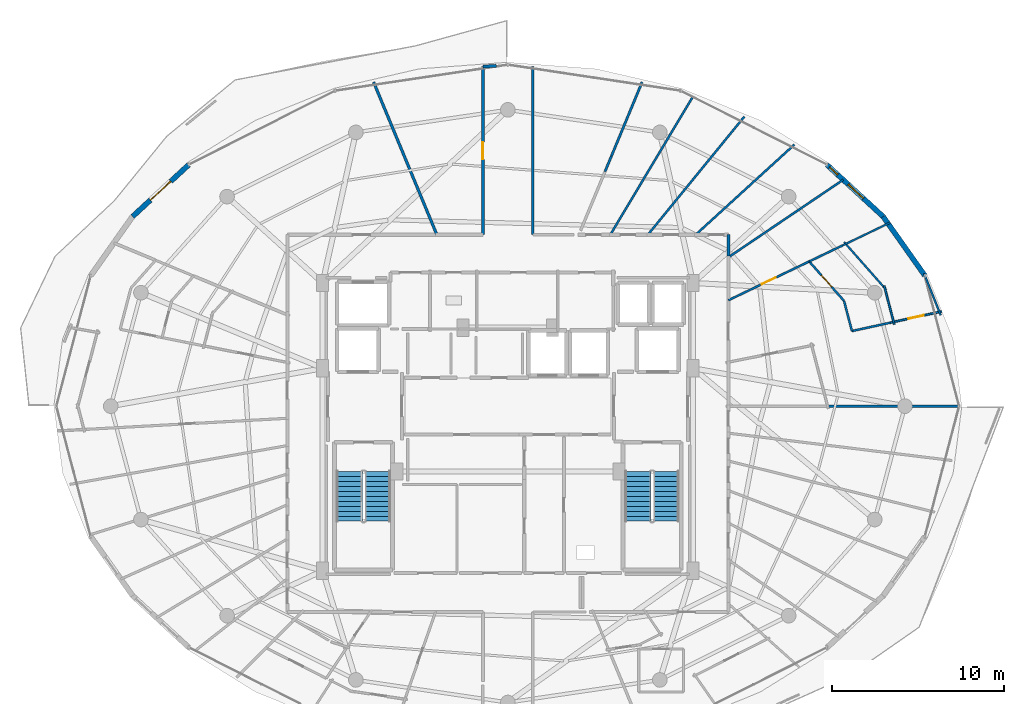
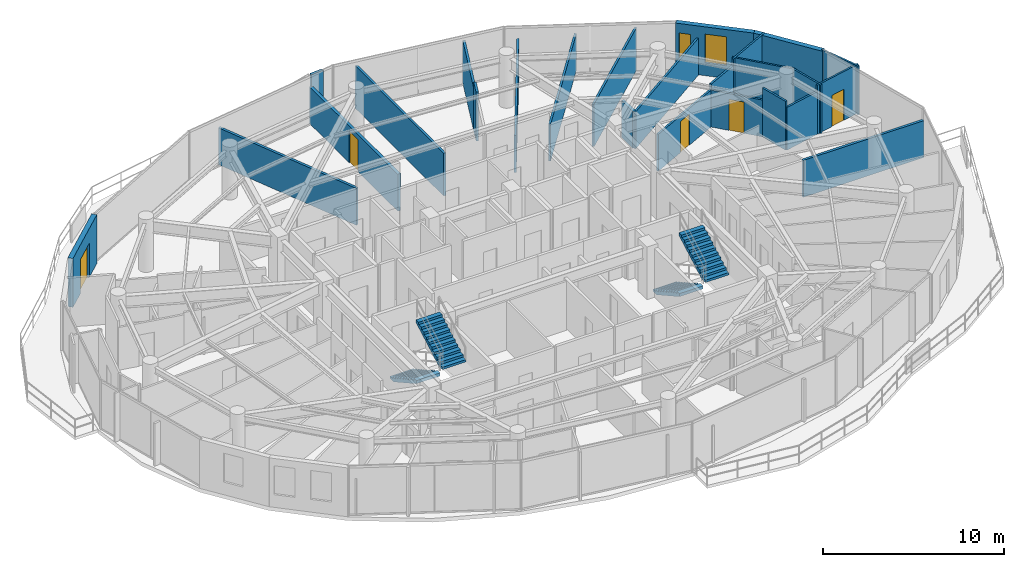
# One storey, part 26 of 30: 25 walls, 5 doors, 4 stair flights, 2 windows, 7 openings, 2 elements without a shape of their own.
"""IFC4 building model written with IfcOpenShell, lengths in metres."""

from ifc_helpers import new_model, si_unit, direction, frame, frame_2d, origin, place, context, subcontext, project, spatial, polyline, rectangle, outline, extrude, material, layer, layer_set, type_object, element, fill, aggregate, save


model = new_model("IFC4")

# Units and contexts
model_context = context("Model", 3, precision=1e-05, world=origin(), true_north=direction((0.0, 1.0)))
body_context = subcontext(model_context, "Body", "Model", "MODEL_VIEW")
ifc_project = project(units=[si_unit("LENGTHUNIT", "METRE"), si_unit("AREAUNIT", "SQUARE_METRE"), si_unit("VOLUMEUNIT", "CUBIC_METRE"), si_unit("PLANEANGLEUNIT", "RADIAN"), si_unit("MASSUNIT", "GRAM", prefix="KILO")], contexts=[model_context])

# Site, building, storey
site_placement = place(None, origin())
site = spatial("IfcSite", under=ifc_project, at=site_placement, CompositionType="ELEMENT")
building_placement = place(site_placement, origin())
building = spatial("IfcBuilding", under=site, at=building_placement, Name="Vorneva Point Tower", CompositionType="ELEMENT")
storey_placement = place(building_placement, frame((0.0, 0.0, 262.64990234375)))
storey = spatial("IfcBuildingStorey", under=building, at=storey_placement, Name="L71", CompositionType="ELEMENT", Elevation=262.64990234375)

# Wall
ifc_material_1 = material(Name="Precast concrete B50 (C40/50)", Category="concrete")
ifc_layer_1 = layer(ifc_material_1, 0.300048828125)
ifc_layer_set_1 = layer_set([ifc_layer_1], Name="Precast concrete B50 (C40/50)")
wall_type_1 = type_object("IfcWallType", Name="WL-EXT-300", PredefinedType="STANDARD", material=ifc_layer_set_1)
wall_1_placement = place(storey_placement, frame((62.20556640625, 33.5810546875, 0.0), z_axis=(0.0, 0.0, 1.0), x_axis=(-0.577261247247, 0.816559521668, 0.0)))
element("IfcWall", 1, at=wall_1_placement, inside=storey, type_object=wall_type_1, Name="L71 Pale-Metal Facade Spandrel Wall 02.1", PredefinedType="STANDARD", context=body_context, shape_type="SweptSolid", body=[
    extrude(rectangle(XDim=4.194091796875, YDim=0.300048828125, at=frame_2d((2.09716796875, 0.0))), origin(), (0.0, 0.0, 1.0), 3.2900390625),
])

# Wall, openings, windows
wall_2_placement = place(storey_placement, frame((59.784423828125, 37.005859375, 0.0), z_axis=(0.0, 0.0, 1.0), x_axis=(-0.735445373611, 0.677584018727, 0.0)))
wall_2 = element("IfcWall", 2, at=wall_2_placement, inside=storey, type_object=wall_type_1, Name="L71 Pale-Metal Facade Spandrel Wall 02.2", PredefinedType="STANDARD", context=body_context, shape_type="SweptSolid", body=[
    extrude(rectangle(XDim=4.430419921875, YDim=0.300048828125, at=frame_2d((2.21533203125, 0.0))), origin(), (0.0, 0.0, 1.0), 3.2900390625),
])
opening_1_placement = place(wall_2_placement, frame((1.55615234375, 0.0, 0.85009765625)))
opening_1 = element("IfcOpeningElement", 3, at=opening_1_placement, cuts=wall_2, Name="Opening W-04", PredefinedType="OPENING", context=body_context, shape_type="SweptSolid", body=[
    extrude(rectangle(XDim=1.199951171875, YDim=1.949951171875, at=frame_2d((0.60009765625, 0.97509765625))), frame((0.0, 0.1650390625, 0.0), z_axis=(0.0, -1.0, 0.0), x_axis=(1.0, 0.0, 0.0)), (0.0, 0.0, 1.0), 0.329833984375),
])
opening_2_placement = place(wall_2_placement, frame((3.5810546875, 0.0, 0.85009765625)))
opening_2 = element("IfcOpeningElement", 4, at=opening_2_placement, cuts=wall_2, Name="Opening W-09", PredefinedType="OPENING", context=body_context, shape_type="SweptSolid", body=[
    extrude(rectangle(XDim=0.64990234375, YDim=1.800048828125, at=frame_2d((0.324951171875, 0.89990234375))), frame((0.0, 0.1650390625, 0.0), z_axis=(0.0, -1.0, 0.0), x_axis=(1.0, 0.0, 0.0)), (0.0, 0.0, 1.0), 0.329833984375),
])
ifc_material_2 = material(Name="Double low-e laminated glass IGU", Category="glass")
window_type_1 = type_object("IfcWindowType", Name="WN-CAS-650", PartitioningType="SINGLE_PANEL", PredefinedType="WINDOW", material=ifc_material_2)
window_1_placement = place(opening_2_placement, origin())
window_1 = element("IfcWindow", 5, at=window_1_placement, inside=storey, type_object=window_type_1, Name="L71 Dwelling Vision Window 07", OverallHeight=1.800048828125, OverallWidth=0.64990234375, PartitioningType="SINGLE_PANEL", PredefinedType="WINDOW", context=body_context, shape_type="SweptSolid", body=[
    extrude(rectangle(XDim=0.64990234375, YDim=1.800048828125, at=frame_2d((0.324951171875, 0.89990234375))), frame((0.0, 0.030029296875, 0.0), z_axis=(0.0, -1.0, 0.0), x_axis=(1.0, 0.0, 0.0)), (0.0, 0.0, 1.0), 0.06005859375),
])
fill(opening_2, window_1)
window_type_2 = type_object("IfcWindowType", Name="WN-RES-1200", PartitioningType="SINGLE_PANEL", PredefinedType="WINDOW", material=ifc_material_2)
window_2_placement = place(opening_1_placement, origin())
window_2 = element("IfcWindow", 6, at=window_2_placement, inside=storey, type_object=window_type_2, Name="L71 Dwelling Vision Window 06", OverallHeight=1.949951171875, OverallWidth=1.199951171875, PartitioningType="SINGLE_PANEL", PredefinedType="WINDOW", context=body_context, shape_type="SweptSolid", body=[
    extrude(rectangle(XDim=1.199951171875, YDim=1.949951171875, at=frame_2d((0.60009765625, 0.97509765625))), frame((0.0, 0.030029296875, 0.0), z_axis=(0.0, -1.0, 0.0), x_axis=(1.0, 0.0, 0.0)), (0.0, 0.0, 1.0), 0.06005859375),
])
fill(opening_1, window_2)

# Wall, opening, door
wall_3_placement = place(storey_placement, frame((19.473876953125, 40.0078125, 0.0), z_axis=(0.0, 0.0, 1.0), x_axis=(-0.735445373611, -0.677584018727, 0.0)))
wall_3 = element("IfcWall", 7, at=wall_3_placement, inside=storey, type_object=wall_type_1, Name="L71 Pale-Metal Facade Spandrel Wall 07.1", PredefinedType="STANDARD", context=body_context, shape_type="SweptSolid", body=[
    extrude(rectangle(XDim=4.430419921875, YDim=0.300048828125, at=frame_2d((2.21533203125, 0.0))), origin(), (0.0, 0.0, 1.0), 3.2900390625),
])
opening_3_placement = place(wall_3_placement, frame((1.415283203125, 0.0, 0.0)))
opening_3 = element("IfcOpeningElement", 8, at=opening_3_placement, cuts=wall_3, Name="Opening BD-01", PredefinedType="OPENING", context=body_context, shape_type="SweptSolid", body=[
    extrude(rectangle(XDim=1.60009765625, YDim=2.300048828125, at=frame_2d((0.800048828125, 1.14990234375))), frame((0.0, 0.1650390625, 0.0), z_axis=(0.0, -1.0, 0.0), x_axis=(1.0, 0.0, 0.0)), (0.0, 0.0, 1.0), 0.329833984375),
])
ifc_material_3 = material(Name="Pale anodised aluminium", Category="aluminium")
door_type_1 = type_object("IfcDoorType", Name="DR-BAL-1600", OperationType="SLIDING_TO_LEFT", PredefinedType="DOOR", material=ifc_material_3)
door_1_placement = place(opening_3_placement, origin())
door_1 = element("IfcDoor", 9, at=door_1_placement, inside=storey, type_object=door_type_1, Name="L71 Balcony Terrace Access Door 07", OperationType="SLIDING_TO_LEFT", OverallHeight=2.300048828125, OverallWidth=1.60009765625, PredefinedType="DOOR", context=body_context, shape_type="SweptSolid", body=[
    extrude(rectangle(XDim=1.60009765625, YDim=2.300048828125, at=frame_2d((0.800048828125, 1.14990234375))), frame((0.0, 0.02490234375, 0.0), z_axis=(0.0, -1.0, 0.0), x_axis=(1.0, 0.0, 0.0)), (0.0, 0.0, 1.0), 0.050048828125),
])
fill(opening_3, door_1)

# Walls
ifc_material_4 = material(Name="Fire-rated acoustic gypsum stud partition", Category="gypsum")
ifc_layer_2 = layer(ifc_material_4, 0.110107421875)
ifc_layer_set_2 = layer_set([ifc_layer_2], Name="Fire-rated acoustic gypsum stud partition")
wall_type_2 = type_object("IfcWallType", Name="WL-PART-110", PredefinedType="PARTITIONING", material=ifc_layer_set_2)
wall_4_placement = place(storey_placement, frame((57.431884765625, 35.330322265625, 0.0), z_axis=(0.0, 0.0, 1.0), x_axis=(0.90133305384, 0.43312668592, 0.0)))
element("IfcWall", 10, at=wall_4_placement, inside=storey, type_object=wall_type_2, Name="L71 Interior Partition 126", PredefinedType="PARTITIONING", context=body_context, shape_type="SweptSolid", body=[
    extrude(rectangle(XDim=3.069091796875, YDim=0.110107421875, at=frame_2d((1.53466796875, 0.0))), origin(), (0.0, 0.0, 1.0), 3.2900390625),
])
wall_5_placement = place(storey_placement, frame((63.126220703125, 31.281982421875, 0.0), z_axis=(0.0, 0.0, 1.0), x_axis=(-0.371940924939, 0.92825640227, 0.0)))
element("IfcWall", 11, at=wall_5_placement, inside=storey, type_object=wall_type_2, Name="L71 Interior Partition 127", PredefinedType="PARTITIONING", context=body_context, shape_type="SweptSolid", body=[
    extrude(rectangle(XDim=2.6005859375, YDim=0.110107421875, at=frame_2d((1.30029296875, 0.0))), origin(), (0.0, 0.0, 1.0), 3.2900390625),
])

# Wall, opening, door
wall_6_placement = place(storey_placement, frame((63.187744140625, 31.497802734375, 0.0), z_axis=(0.0, 0.0, 1.0), x_axis=(-0.976993096252, -0.213270930688, 0.0)))
wall_6 = element("IfcWall", 12, at=wall_6_placement, inside=storey, type_object=wall_type_2, Name="L71 Interior Partition 128", PredefinedType="PARTITIONING", context=body_context, shape_type="SweptSolid", body=[
    extrude(rectangle(XDim=3.059814453125, YDim=0.110107421875, at=frame_2d((1.52978515625, 0.0))), origin(), (0.0, 0.0, 1.0), 3.2900390625),
])
opening_4_placement = place(wall_6_placement, frame((1.080078125, 0.0, 0.0)))
opening_4 = element("IfcOpeningElement", 13, at=opening_4_placement, cuts=wall_6, Name="Opening ID-01", PredefinedType="OPENING", context=body_context, shape_type="SweptSolid", body=[
    extrude(rectangle(XDim=0.89990234375, YDim=2.10009765625, at=frame_2d((0.449951171875, 1.050048828125))), frame((0.0, 0.06982421875, 0.0), z_axis=(0.0, -1.0, 0.0), x_axis=(1.0, 0.0, 0.0)), (0.0, 0.0, 1.0), 0.139892578125),
])
ifc_material_5 = material(Name="Engineered oak fire-rated door leaf", Category="wood")
door_type_2 = type_object("IfcDoorType", Name="DR-ROOM-900", OperationType="NOTDEFINED", PredefinedType="DOOR", material=ifc_material_5)
door_2_placement = place(opening_4_placement, origin())
door_2 = element("IfcDoor", 14, at=door_2_placement, inside=storey, type_object=door_type_2, Name="L71 Door Living and Dining Room L71-04 / Kitchen L71-04", OperationType="SINGLE_SWING_LEFT", OverallHeight=2.10009765625, OverallWidth=0.89990234375, PredefinedType="DOOR", context=body_context, shape_type="SweptSolid", body=[
    extrude(rectangle(XDim=0.89990234375, YDim=2.10009765625, at=frame_2d((0.449951171875, 1.050048828125))), frame((0.0, 0.02490234375, 0.0), z_axis=(0.0, -1.0, 0.0), x_axis=(1.0, 0.0, 0.0)), (0.0, 0.0, 1.0), 0.050048828125),
])
fill(opening_4, door_2)

# Walls
wall_7_placement = place(storey_placement, frame((57.519287109375, 35.52197265625, 0.0), z_axis=(0.0, 0.0, 1.0), x_axis=(0.662055665853, -0.749454665281, 0.0)))
element("IfcWall", 15, at=wall_7_placement, inside=storey, type_object=wall_type_2, Name="L71 Interior Partition 134", PredefinedType="PARTITIONING", context=body_context, shape_type="SweptSolid", body=[
    extrude(rectangle(XDim=3.701171875, YDim=0.110107421875, at=frame_2d((1.8505859375, 0.0))), origin(), (0.0, 0.0, 1.0), 3.2900390625),
])
wall_8_placement = place(storey_placement, frame((59.84130859375, 32.98828125, 0.0), z_axis=(0.0, 0.0, 1.0), x_axis=(0.254519291204, -0.967067696909, 0.0)))
element("IfcWall", 16, at=wall_8_placement, inside=storey, type_object=wall_type_2, Name="L71 Interior Partition 135", PredefinedType="PARTITIONING", context=body_context, shape_type="SweptSolid", body=[
    extrude(rectangle(XDim=2.311767578125, YDim=0.110107421875, at=frame_2d((1.15576171875, 0.0))), origin(), (0.0, 0.0, 1.0), 3.2900390625),
])
ifc_layer_3 = layer(ifc_material_4, 0.125)
ifc_layer_set_3 = layer_set([ifc_layer_3], Name="Fire-rated acoustic gypsum stud partition")
wall_type_3 = type_object("IfcWallType", Name="WL-PART-125", PredefinedType="PARTITIONING", material=ifc_layer_set_3)
wall_9_placement = place(storey_placement, frame((57.972900390625, 30.35888671875, 0.0), z_axis=(0.0, 0.0, 1.0), x_axis=(-0.254274526126, 0.967132082687, 0.0)))
element("IfcWall", 17, at=wall_9_placement, inside=storey, type_object=wall_type_3, Name="L71 Interior Partition 129", PredefinedType="PARTITIONING", context=body_context, shape_type="SweptSolid", body=[
    extrude(rectangle(XDim=1.812744140625, YDim=0.125, at=frame_2d((0.90625, 0.0))), origin(), (0.0, 0.0, 1.0), 3.2900390625),
])

# Wall, opening, door
wall_10_placement = place(storey_placement, frame((57.511962890625, 32.112060546875, 0.0), z_axis=(0.0, 0.0, 1.0), x_axis=(-0.662026430628, 0.749480490173, 0.0)))
wall_10 = element("IfcWall", 18, at=wall_10_placement, inside=storey, type_object=wall_type_3, Name="L71 Interior Partition 130", PredefinedType="PARTITIONING", context=body_context, shape_type="SweptSolid", body=[
    extrude(rectangle(XDim=3.05126953125, YDim=0.125, at=frame_2d((1.525634765625, 0.0))), origin(), (0.0, 0.0, 1.0), 2.482177734375),
])
opening_5_placement = place(wall_10_placement, frame((1.07568359375, 0.0, 0.0)))
opening_5 = element("IfcOpeningElement", 19, at=opening_5_placement, cuts=wall_10, Name="Opening ID-01", PredefinedType="OPENING", context=body_context, shape_type="SweptSolid", body=[
    extrude(rectangle(XDim=0.89990234375, YDim=2.10009765625, at=frame_2d((0.449951171875, 1.050048828125))), frame((0.0, 0.077392578125, 0.0), z_axis=(0.0, -1.0, 0.0), x_axis=(1.0, 0.0, 0.0)), (0.0, 0.0, 1.0), 0.15478515625),
])
door_3_placement = place(opening_5_placement, origin())
door_3 = element("IfcDoor", 20, at=door_3_placement, inside=storey, type_object=door_type_2, Name="L71 Door Living and Dining Room L71-04 / Study Room L71-04", OperationType="SINGLE_SWING_RIGHT", OverallHeight=2.10009765625, OverallWidth=0.89990234375, PredefinedType="DOOR", context=body_context, shape_type="SweptSolid", body=[
    extrude(rectangle(XDim=0.89990234375, YDim=2.10009765625, at=frame_2d((0.449951171875, 1.050048828125))), frame((0.0, 0.02490234375, 0.0), z_axis=(0.0, -1.0, 0.0), x_axis=(1.0, 0.0, 0.0)), (0.0, 0.0, 1.0), 0.050048828125),
])
fill(opening_5, door_3)

# Walls
wall_11_placement = place(storey_placement, frame((55.491943359375, 34.39892578125, 0.0), z_axis=(0.0, 0.0, 1.0), x_axis=(0.901372521065, 0.433044545363, 0.0)))
element("IfcWall", 21, at=wall_11_placement, inside=storey, type_object=wall_type_3, Name="L71 Interior Partition 131", PredefinedType="PARTITIONING", context=body_context, shape_type="SweptSolid", body=[
    extrude(rectangle(XDim=2.15185546875, YDim=0.125, at=frame_2d((1.075927734375, 0.0))), origin(), (0.0, 0.0, 1.0), 2.8740234375),
])
wall_12_placement = place(storey_placement, frame((60.1982421875, 30.844970703125, 0.0), z_axis=(0.0, 0.0, 1.0), x_axis=(-0.976965000645, -0.213399595862, 0.0)))
element("IfcWall", 22, at=wall_12_placement, inside=storey, type_object=wall_type_3, Name="L71 Interior Partition 132", PredefinedType="PARTITIONING", context=body_context, shape_type="SweptSolid", body=[
    extrude(rectangle(XDim=2.27783203125, YDim=0.125, at=frame_2d((1.138916015625, 0.0))), origin(), (0.0, 0.0, 1.0), 2.8740234375),
])

# Wall, opening, door
wall_13_placement = place(storey_placement, frame((55.49169921875, 34.3994140625, 0.0), z_axis=(0.0, 0.0, 1.0), x_axis=(-0.901416162018, -0.432953695968, 0.0)))
wall_13 = element("IfcWall", 23, at=wall_13_placement, inside=storey, type_object=wall_type_3, Name="L71 Interior Partition 133", PredefinedType="PARTITIONING", context=body_context, shape_type="SweptSolid", body=[
    extrude(rectangle(XDim=5.204833984375, YDim=0.125, at=frame_2d((2.6025390625, 0.0))), origin(), (0.0, 0.0, 1.0), 2.482177734375),
])
opening_6_placement = place(wall_13_placement, frame((2.15234375, 0.0, 0.0)))
opening_6 = element("IfcOpeningElement", 24, at=opening_6_placement, cuts=wall_13, Name="Opening ID-01", PredefinedType="OPENING", context=body_context, shape_type="SweptSolid", body=[
    extrude(rectangle(XDim=0.89990234375, YDim=2.10009765625, at=frame_2d((0.449951171875, 1.050048828125))), frame((0.0, 0.077392578125, 0.0), z_axis=(0.0, -1.0, 0.0), x_axis=(1.0, 0.0, 0.0)), (0.0, 0.0, 1.0), 0.15478515625),
])
door_4_placement = place(opening_6_placement, origin())
door_4 = element("IfcDoor", 25, at=door_4_placement, inside=storey, type_object=door_type_2, Name="L71 Door Living and Dining Room L71-04 / Master Bedroom L71-04.1", OperationType="SINGLE_SWING_LEFT", OverallHeight=2.10009765625, OverallWidth=0.89990234375, PredefinedType="DOOR", context=body_context, shape_type="SweptSolid", body=[
    extrude(rectangle(XDim=0.89990234375, YDim=2.10009765625, at=frame_2d((0.449951171875, 1.050048828125))), frame((0.0, 0.02490234375, 0.0), z_axis=(0.0, -1.0, 0.0), x_axis=(1.0, 0.0, 0.0)), (0.0, 0.0, 1.0), 0.050048828125),
])
fill(opening_6, door_4)

# Walls
wall_14_placement = place(storey_placement, frame((57.466064453125, 39.139892578125, 0.0), z_axis=(0.0, 0.0, 1.0), x_axis=(-0.828823335801, -0.559510391352, 0.0)))
element("IfcWall", 26, at=wall_14_placement, inside=storey, type_object=wall_type_3, Name="L71 Interior Partition 136", PredefinedType="PARTITIONING", context=body_context, shape_type="SweptSolid", body=[
    extrude(rectangle(XDim=8.042724609375, YDim=0.125, at=frame_2d((4.021484375, 0.0))), origin(), (0.0, 0.0, 1.0), 2.482177734375),
])
wall_15_placement = place(storey_placement, frame((54.631103515625, 41.180908203125, 0.0), z_axis=(0.0, 0.0, 1.0), x_axis=(-0.73860604902, -0.674137303783, 0.0)))
element("IfcWall", 27, at=wall_15_placement, inside=storey, type_object=wall_type_3, Name="L71 Interior Partition 137", PredefinedType="PARTITIONING", context=body_context, shape_type="SweptSolid", body=[
    extrude(rectangle(XDim=7.759521484375, YDim=0.125, at=frame_2d((3.8798828125, 0.0))), origin(), (0.0, 0.0, 1.0), 2.8740234375),
])
wall_16_placement = place(storey_placement, frame((51.72509765625, 42.803955078125, 0.0), z_axis=(0.0, 0.0, 1.0), x_axis=(-0.632582563989, -0.774492930721, 0.0)))
element("IfcWall", 28, at=wall_16_placement, inside=storey, type_object=wall_type_3, Name="L71 Interior Partition 138", PredefinedType="PARTITIONING", context=body_context, shape_type="SweptSolid", body=[
    extrude(rectangle(XDim=8.849609375, YDim=0.125, at=frame_2d((4.4248046875, 0.0))), origin(), (0.0, 0.0, 1.0), 2.482177734375),
])
wall_17_placement = place(storey_placement, frame((48.761962890625, 44.00390625, 0.0), z_axis=(0.0, 0.0, 1.0), x_axis=(-0.51305247577, -0.858357243289, 0.0)))
element("IfcWall", 29, at=wall_17_placement, inside=storey, type_object=wall_type_3, Name="L71 Interior Partition 139", PredefinedType="PARTITIONING", context=body_context, shape_type="SweptSolid", body=[
    extrude(rectangle(XDim=9.383056640625, YDim=0.125, at=frame_2d((4.69140625, 0.0))), origin(), (0.0, 0.0, 1.0), 2.482177734375),
])
ifc_layer_4 = layer(ifc_material_4, 0.139892578125)
ifc_layer_set_4 = layer_set([ifc_layer_4], Name="Fire-rated acoustic gypsum stud partition")
wall_type_4 = type_object("IfcWallType", Name="WL-PART-140", PredefinedType="PARTITIONING", material=ifc_layer_set_4)
wall_18_placement = place(storey_placement, frame((39.449951171875, 35.949951171875, 0.0), z_axis=(0.0, 0.0, 1.0), x_axis=(0.0, 1.0, 0.0)))
element("IfcWall", 30, at=wall_18_placement, inside=storey, type_object=wall_type_4, Name="L71 Interior Closure Partition 156", PredefinedType="PARTITIONING", context=body_context, shape_type="SweptSolid", body=[
    extrude(rectangle(XDim=9.7509765625, YDim=0.139892578125, at=frame_2d((4.87548828125, 0.0))), origin(), (0.0, 0.0, 1.0), 2.8740234375),
])
wall_19_placement = place(storey_placement, frame((45.79296875, 44.81298828125, 0.0), z_axis=(0.0, 0.0, 1.0), x_axis=(-0.382733290986, -0.923858878818, 0.0)))
element("IfcWall", 31, at=wall_19_placement, inside=storey, type_object=wall_type_4, Name="L71 Interior Closure Partition 169", PredefinedType="PARTITIONING", context=body_context, shape_type="SweptSolid", body=[
    extrude(rectangle(XDim=4.6533203125, YDim=0.139892578125, at=frame_2d((2.32666015625, 0.0))), origin(), (0.0, 0.0, 1.0), 2.8740234375),
])
wall_20_placement = place(storey_placement, frame((44.011962890625, 40.513916015625, 0.0), z_axis=(0.0, 0.0, 1.0), x_axis=(-0.382941999237, -0.923772388211, 0.0)))
element("IfcWall", 32, at=wall_20_placement, inside=storey, type_object=wall_type_4, Name="L71 Interior Closure Partition 170", PredefinedType="PARTITIONING", context=body_context, shape_type="SweptSolid", body=[
    extrude(rectangle(XDim=0.97412109375, YDim=0.139892578125, at=frame_2d((0.487060546875, 0.0))), origin(), (0.0, 0.0, 1.0), 3.2900390625),
])
ifc_layer_5 = layer(ifc_material_4, 0.159912109375)
ifc_layer_set_5 = layer_set([ifc_layer_5], Name="Fire-rated acoustic gypsum stud partition")
wall_type_5 = type_object("IfcWallType", Name="WL-PART-160", PredefinedType="PARTITIONING", material=ifc_layer_set_5)
wall_21_placement = place(storey_placement, frame((64.198974609375, 26.0, 0.0), z_axis=(0.0, 0.0, 1.0), x_axis=(-1.0, 0.0, 0.0)))
element("IfcWall", 33, at=wall_21_placement, inside=storey, type_object=wall_type_5, Name="L71 Interior Partition 122", PredefinedType="PARTITIONING", context=body_context, shape_type="SweptSolid", body=[
    extrude(rectangle(XDim=7.700927734375, YDim=0.159912109375, at=frame_2d((3.8505859375, 0.0))), origin(), (0.0, 0.0, 1.0), 2.482177734375),
])
wall_22_placement = place(storey_placement, frame((30.20703125, 44.81298828125, 0.0), z_axis=(0.0, 0.0, 1.0), x_axis=(0.38274436158, -0.92385429245, 0.0)))
element("IfcWall", 34, at=wall_22_placement, inside=storey, type_object=wall_type_5, Name="L71 Interior Partition 140", PredefinedType="PARTITIONING", context=body_context, shape_type="SweptSolid", body=[
    extrude(rectangle(XDim=9.593505859375, YDim=0.159912109375, at=frame_2d((4.796875, 0.0))), origin(), (0.0, 0.0, 1.0), 2.482177734375),
])
ifc_material_6 = material(Name="Autoclaved aerated concrete blockwork", Category="masonry")
ifc_layer_6 = layer(ifc_material_6, 0.179931640625)
ifc_layer_set_6 = layer_set([ifc_layer_6], Name="Autoclaved aerated concrete blockwork")
wall_type_6 = type_object("IfcWallType", Name="WL-PART-180", PredefinedType="PARTITIONING", material=ifc_layer_set_6)
wall_23_placement = place(storey_placement, frame((50.800048828125, 34.7119140625, 0.0), z_axis=(0.0, 0.0, 1.0), x_axis=(0.0, 1.0, 0.0)))
element("IfcWall", 35, at=wall_23_placement, inside=storey, type_object=wall_type_6, Name="L71 Interior Partition 058", PredefinedType="PARTITIONING", context=body_context, shape_type="SweptSolid", body=[
    extrude(rectangle(XDim=1.238037109375, YDim=0.179931640625, at=frame_2d((0.619140625, 0.0))), origin(), (0.0, 0.0, 1.0), 2.482177734375),
])
wall_24_placement = place(storey_placement, frame((37.3291015625, 45.760009765625, 0.0), z_axis=(0.0, 0.0, 1.0), x_axis=(-0.997136622012, -0.0756211415, 0.0)))
element("IfcWall", 36, at=wall_24_placement, inside=storey, type_object=wall_type_6, Name="L71 Interior Partition 063", PredefinedType="PARTITIONING", context=body_context, shape_type="SweptSolid", body=[
    extrude(rectangle(XDim=0.78125, YDim=0.179931640625, at=frame_2d((0.390625, 0.0))), origin(), (0.0, 0.0, 1.0), 3.2900390625),
])

# Wall, opening, door
wall_25_placement = place(storey_placement, frame((36.550048828125, 45.700927734375, 0.0), z_axis=(0.0, 0.0, 1.0), x_axis=(0.0, -1.0, 0.0)))
wall_25 = element("IfcWall", 37, at=wall_25_placement, inside=storey, type_object=wall_type_6, Name="L71 Interior Partition 064", PredefinedType="PARTITIONING", context=body_context, shape_type="SweptSolid", body=[
    extrude(rectangle(XDim=9.7509765625, YDim=0.179931640625, at=frame_2d((4.87548828125, 0.0))), origin(), (0.0, 0.0, 1.0), 2.482177734375),
])
opening_7_placement = place(wall_25_placement, frame((4.37548828125, 0.0, 0.0)))
opening_7 = element("IfcOpeningElement", 38, at=opening_7_placement, cuts=wall_25, Name="Opening UD-01", PredefinedType="OPENING", context=body_context, shape_type="SweptSolid", body=[
    extrude(rectangle(XDim=1.0, YDim=2.14990234375, at=frame_2d((0.5, 1.074951171875))), frame((0.0, 0.10498046875, 0.0), z_axis=(0.0, -1.0, 0.0), x_axis=(1.0, 0.0, 0.0)), (0.0, 0.0, 1.0), 0.209716796875),
])
door_type_3 = type_object("IfcDoorType", Name="DR-UNIT-1000", OperationType="NOTDEFINED", PredefinedType="DOOR", material=ifc_material_5)
door_5_placement = place(opening_7_placement, origin())
door_5 = element("IfcDoor", 39, at=door_5_placement, inside=storey, type_object=door_type_3, Name="L71 Door L71 Circulation Corridor / Residents Co-Working Office L71-05", OperationType="SINGLE_SWING_LEFT", OverallHeight=2.14990234375, OverallWidth=1.0, PredefinedType="DOOR", context=body_context, shape_type="SweptSolid", body=[
    extrude(rectangle(XDim=1.0, YDim=2.14990234375, at=frame_2d((0.5, 1.074951171875))), frame((0.0, 0.02490234375, 0.0), z_axis=(0.0, -1.0, 0.0), x_axis=(1.0, 0.0, 0.0)), (0.0, 0.0, 1.0), 0.050048828125),
])
fill(opening_7, door_5)

# Stair, stair flights
ifc_material_7 = material(Name="Concrete B50 (C40/50)", Category="concrete")
stair_type = type_object("IfcStairType", Name="ST-DOG-1500", PredefinedType="HALF_TURN_STAIR", material=ifc_material_7)
stair_1_placement = place(storey_placement, origin())
stair_1 = element("IfcStair", 40, at=stair_1_placement, inside=storey, type_object=stair_type, Name="L71 ST1", PredefinedType="HALF_TURN_STAIR")
stair_flight_type = type_object("IfcStairFlightType", Name="STF-1500", PredefinedType="STRAIGHT", material=ifc_material_7)
stair_flight_1_placement = place(storey_placement, frame((28.800048828125, 22.219970703125, 0.0), z_axis=(0.0, 0.0, 1.0), x_axis=(0.0, -1.0, 0.0)))
stair_flight_1 = element("IfcStairFlight", 41, at=stair_flight_1_placement, type_object=stair_flight_type, Name="ST1 flight 1", NumberOfRisers=11, NumberOfTreads=10, PredefinedType="STRAIGHT", RiserHeight=0.161363636, TreadLength=0.29, context=body_context, shape_type="SweptSolid", body=[
    extrude(outline(polyline([(0.0, 0.0), (0.0, 0.161376953125), (0.2900390625, 0.161376953125), (0.2900390625, 0.32275390625), (0.580078125, 0.32275390625), (0.580078125, 0.484130859375), (0.8701171875, 0.484130859375), (0.8701171875, 0.6455078125), (1.159912109375, 0.6455078125), (1.159912109375, 0.806884765625), (1.449951171875, 0.806884765625), (1.449951171875, 0.96826171875), (1.739990234375, 0.96826171875), (1.739990234375, 1.129638671875), (2.030029296875, 1.129638671875), (2.030029296875, 1.291015625), (2.320068359375, 1.291015625), (2.320068359375, 1.452392578125), (2.610107421875, 1.452392578125), (2.610107421875, 1.613525390625), (2.89990234375, 1.613525390625), (2.89990234375, 1.77490234375), (2.89990234375, 1.40771484375), (0.3701171875, 0.0), (0.0, 0.0)])), frame((0.0, 0.75, 0.0), z_axis=(0.0, -1.0, 0.0), x_axis=(1.0, 0.0, 0.0)), (0.0, 0.0, 1.0), 1.5),
])
stair_flight_2_placement = place(storey_placement, frame((30.449951171875, 19.320068359375, 1.775146484375), z_axis=(0.0, 0.0, 1.0), x_axis=(0.0, 1.0, 0.0)))
stair_flight_2 = element("IfcStairFlight", 42, at=stair_flight_2_placement, type_object=stair_flight_type, Name="ST1 flight 2", NumberOfRisers=11, NumberOfTreads=10, PredefinedType="STRAIGHT", RiserHeight=0.161363636, TreadLength=0.29, context=body_context, shape_type="SweptSolid", body=[
    extrude(outline(polyline([(0.0, 0.0), (0.0, 0.161376953125), (0.2900390625, 0.161376953125), (0.2900390625, 0.32275390625), (0.580078125, 0.32275390625), (0.580078125, 0.484130859375), (0.8701171875, 0.484130859375), (0.8701171875, 0.6455078125), (1.159912109375, 0.6455078125), (1.159912109375, 0.806884765625), (1.449951171875, 0.806884765625), (1.449951171875, 0.96826171875), (1.739990234375, 0.96826171875), (1.739990234375, 1.129638671875), (2.030029296875, 1.129638671875), (2.030029296875, 1.291015625), (2.320068359375, 1.291015625), (2.320068359375, 1.452392578125), (2.610107421875, 1.452392578125), (2.610107421875, 1.613525390625), (2.89990234375, 1.613525390625), (2.89990234375, 1.77490234375), (2.89990234375, 1.40771484375), (0.3701171875, 0.0), (0.0, 0.0)])), frame((0.0, 0.75, 0.0), z_axis=(0.0, -1.0, 0.0), x_axis=(1.0, 0.0, 0.0)), (0.0, 0.0, 1.0), 1.5),
])
aggregate(stair_1, [stair_flight_1, stair_flight_2])

stair_2_placement = place(storey_placement, origin())
stair_2 = element("IfcStair", 43, at=stair_2_placement, inside=storey, type_object=stair_type, Name="L71 ST2", PredefinedType="HALF_TURN_STAIR")
stair_flight_3_placement = place(storey_placement, frame((45.550048828125, 22.219970703125, 0.0), z_axis=(0.0, 0.0, 1.0), x_axis=(0.0, -1.0, 0.0)))
stair_flight_3 = element("IfcStairFlight", 44, at=stair_flight_3_placement, type_object=stair_flight_type, Name="ST2 flight 1", NumberOfRisers=11, NumberOfTreads=10, PredefinedType="STRAIGHT", RiserHeight=0.161363636, TreadLength=0.29, context=body_context, shape_type="SweptSolid", body=[
    extrude(outline(polyline([(0.0, 0.0), (0.0, 0.161376953125), (0.2900390625, 0.161376953125), (0.2900390625, 0.32275390625), (0.580078125, 0.32275390625), (0.580078125, 0.484130859375), (0.8701171875, 0.484130859375), (0.8701171875, 0.6455078125), (1.159912109375, 0.6455078125), (1.159912109375, 0.806884765625), (1.449951171875, 0.806884765625), (1.449951171875, 0.96826171875), (1.739990234375, 0.96826171875), (1.739990234375, 1.129638671875), (2.030029296875, 1.129638671875), (2.030029296875, 1.291015625), (2.320068359375, 1.291015625), (2.320068359375, 1.452392578125), (2.610107421875, 1.452392578125), (2.610107421875, 1.613525390625), (2.89990234375, 1.613525390625), (2.89990234375, 1.77490234375), (2.89990234375, 1.40771484375), (0.3701171875, 0.0), (0.0, 0.0)])), frame((0.0, 0.75, 0.0), z_axis=(0.0, -1.0, 0.0), x_axis=(1.0, 0.0, 0.0)), (0.0, 0.0, 1.0), 1.5),
])
stair_flight_4_placement = place(storey_placement, frame((47.199951171875, 19.320068359375, 1.775146484375), z_axis=(0.0, 0.0, 1.0), x_axis=(0.0, 1.0, 0.0)))
stair_flight_4 = element("IfcStairFlight", 45, at=stair_flight_4_placement, type_object=stair_flight_type, Name="ST2 flight 2", NumberOfRisers=11, NumberOfTreads=10, PredefinedType="STRAIGHT", RiserHeight=0.161363636, TreadLength=0.29, context=body_context, shape_type="SweptSolid", body=[
    extrude(outline(polyline([(0.0, 0.0), (0.0, 0.161376953125), (0.2900390625, 0.161376953125), (0.2900390625, 0.32275390625), (0.580078125, 0.32275390625), (0.580078125, 0.484130859375), (0.8701171875, 0.484130859375), (0.8701171875, 0.6455078125), (1.159912109375, 0.6455078125), (1.159912109375, 0.806884765625), (1.449951171875, 0.806884765625), (1.449951171875, 0.96826171875), (1.739990234375, 0.96826171875), (1.739990234375, 1.129638671875), (2.030029296875, 1.129638671875), (2.030029296875, 1.291015625), (2.320068359375, 1.291015625), (2.320068359375, 1.452392578125), (2.610107421875, 1.452392578125), (2.610107421875, 1.613525390625), (2.89990234375, 1.613525390625), (2.89990234375, 1.77490234375), (2.89990234375, 1.40771484375), (0.3701171875, 0.0), (0.0, 0.0)])), frame((0.0, 0.75, 0.0), z_axis=(0.0, -1.0, 0.0), x_axis=(1.0, 0.0, 0.0)), (0.0, 0.0, 1.0), 1.5),
])
aggregate(stair_2, [stair_flight_3, stair_flight_4])

save(model, "model.ifc")
